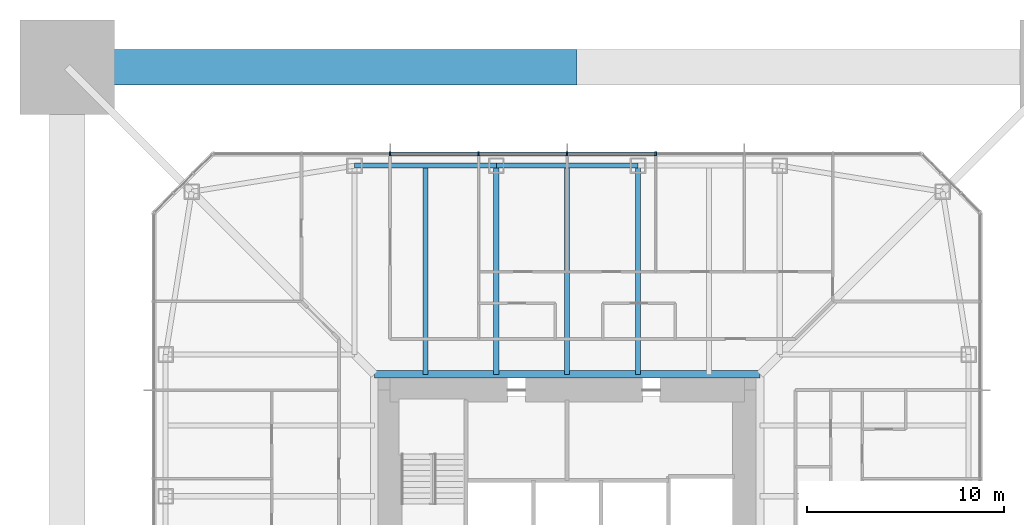
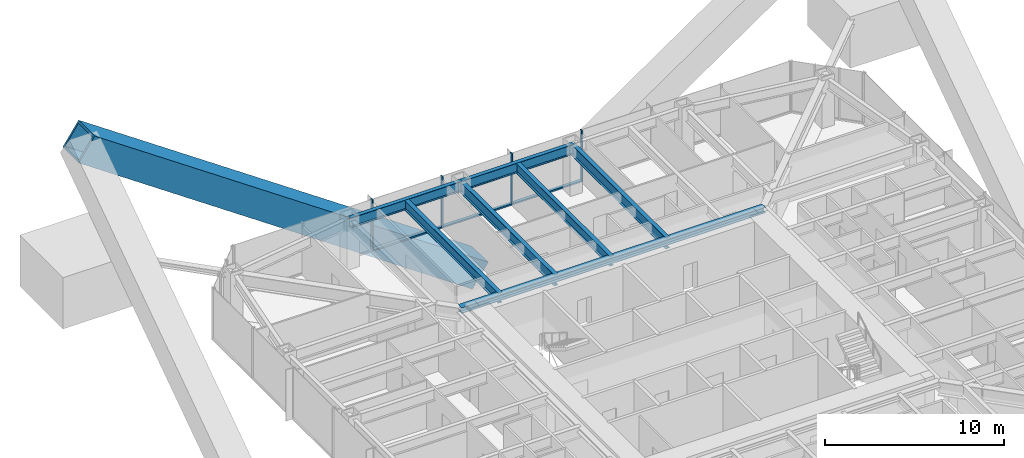
# One storey, part 6 of 17: 8 members, 7 beams, 1 element without a shape of its own.
"""IFC4 building model written with IfcOpenShell, lengths in metres."""

from ifc_helpers import new_model, si_unit, direction, frame, origin, origin_2d, place, context, subcontext, project, spatial, rectangle, hollow_rectangle, i_section, extrude, material, material_profile, profile_set, type_object, element, aggregate, save


model = new_model("IFC4")

# Units and contexts
model_context = context("Model", 3, precision=1e-05, world=origin(), true_north=direction((0.0, 1.0)))
body_context = subcontext(model_context, "Body", "Model", "MODEL_VIEW")
ifc_project = project(units=[si_unit("LENGTHUNIT", "METRE"), si_unit("AREAUNIT", "SQUARE_METRE"), si_unit("VOLUMEUNIT", "CUBIC_METRE"), si_unit("PLANEANGLEUNIT", "RADIAN"), si_unit("MASSUNIT", "GRAM", prefix="KILO")], contexts=[model_context])

# Site, building, storey
site_placement = place(None, origin())
site = spatial("IfcSite", under=ifc_project, at=site_placement, CompositionType="ELEMENT")
building_placement = place(site_placement, origin())
building = spatial("IfcBuilding", under=site, at=building_placement, Name="Iwan Alto Co-Living Towers", CompositionType="ELEMENT")
storey_placement = place(building_placement, frame((0.0, 0.0, 133.0)))
storey = spatial("IfcBuildingStorey", under=building, at=storey_placement, Name="L36", CompositionType="ELEMENT", Elevation=133.0)

# Curtain wall, members
ifc_material_1 = material(Name="Bronze aluminium unitised frame", Category="aluminium")
curtain_wall_type = type_object("IfcCurtainWallType", Name="CURTAIN WALL CW-A", PredefinedType="NOTDEFINED", material=ifc_material_1)
curtain_wall_placement = place(storey_placement, origin())
curtain_wall = element("IfcCurtainWall", 1, at=curtain_wall_placement, inside=storey, type_object=curtain_wall_type, Name="T1 curtain wall N L36", PredefinedType="NOTDEFINED")
ifc_material_2 = material(Name="Aluminium 6063-T6 bronze anodised", Category="aluminium")
ifc_material_profile_1 = material_profile(ifc_material_2, rectangle(XDim=0.199951171875, YDim=0.080078125, at=origin_2d()), Name="AL 80X200")
ifc_profile_set_1 = profile_set([ifc_material_profile_1], Name="Aluminium 6063-T6 bronze anodised")
member_type_1 = type_object("IfcMemberType", Name="CW-A MULLION 80X200", PredefinedType="MULLION", material=ifc_profile_set_1)
member_1_placement = place(storey_placement, frame((4.5, 21.0, 0.0), z_axis=(0.0, 0.0, 1.0), x_axis=(0.0, -1.0, 0.0)))
member_1 = element("IfcMember", 2, at=member_1_placement, type_object=member_type_1, Name="CW-A mullion 4", PredefinedType="MULLION", context=body_context, shape_type="SweptSolid", body=[
    extrude(rectangle(XDim=0.199951171875, YDim=0.080078125, at=origin_2d()), origin(), (0.0, 0.0, 1.0), 3.5),
])
member_2_placement = place(storey_placement, frame((0.0, 21.0, 0.0), z_axis=(0.0, 0.0, 1.0), x_axis=(0.0, -1.0, 0.0)))
member_2 = element("IfcMember", 3, at=member_2_placement, type_object=member_type_1, Name="CW-A mullion 5", PredefinedType="MULLION", context=body_context, shape_type="SweptSolid", body=[
    extrude(rectangle(XDim=0.199951171875, YDim=0.080078125, at=origin_2d()), origin(), (0.0, 0.0, 1.0), 3.5),
])
member_3_placement = place(storey_placement, frame((-4.5, 21.0, 0.0), z_axis=(0.0, 0.0, 1.0), x_axis=(0.0, -1.0, 0.0)))
member_3 = element("IfcMember", 4, at=member_3_placement, type_object=member_type_1, Name="CW-A mullion 6", PredefinedType="MULLION", context=body_context, shape_type="SweptSolid", body=[
    extrude(rectangle(XDim=0.199951171875, YDim=0.080078125, at=origin_2d()), origin(), (0.0, 0.0, 1.0), 3.5),
])
member_4_placement = place(storey_placement, frame((-9.0, 21.0, 0.0), z_axis=(0.0, 0.0, 1.0), x_axis=(0.0, -1.0, 0.0)))
member_4 = element("IfcMember", 5, at=member_4_placement, type_object=member_type_1, Name="CW-A mullion 7", PredefinedType="MULLION", context=body_context, shape_type="SweptSolid", body=[
    extrude(rectangle(XDim=0.199951171875, YDim=0.080078125, at=origin_2d()), origin(), (0.0, 0.0, 1.0), 3.5),
])
ifc_material_3 = material(Name="Aluminium 6063-T6 bronze anodised", Category="aluminium")
ifc_material_profile_2 = material_profile(ifc_material_3, rectangle(XDim=0.199951171875, YDim=0.10009765625, at=origin_2d()), Name="AL 200X100")
ifc_profile_set_2 = profile_set([ifc_material_profile_2], Name="Aluminium 6063-T6 bronze anodised")
member_type_2 = type_object("IfcMemberType", Name="CW-A TRANSOM 200X100", PredefinedType="USERDEFINED", material=ifc_profile_set_2)
member_5_placement = place(storey_placement, frame((4.4599609375, 21.0, 0.050048828125), z_axis=(-1.0, 0.0, 0.0), x_axis=(0.0, -1.0, 0.0)))
member_5 = element("IfcMember", 6, at=member_5_placement, type_object=member_type_2, Name="CW-A transom 4.1", ObjectType="TRANSOM", PredefinedType="USERDEFINED", context=body_context, shape_type="SweptSolid", body=[
    extrude(rectangle(XDim=0.199951171875, YDim=0.10009765625, at=origin_2d()), origin(), (0.0, 0.0, 1.0), 4.419921875),
])
member_6_placement = place(storey_placement, frame((-0.0400390625, 21.0, 0.050048828125), z_axis=(-1.0, 0.0, 0.0), x_axis=(0.0, -1.0, 0.0)))
member_6 = element("IfcMember", 7, at=member_6_placement, type_object=member_type_2, Name="CW-A transom 5.1", ObjectType="TRANSOM", PredefinedType="USERDEFINED", context=body_context, shape_type="SweptSolid", body=[
    extrude(rectangle(XDim=0.199951171875, YDim=0.10009765625, at=origin_2d()), origin(), (0.0, 0.0, 1.0), 4.419921875),
])
member_7_placement = place(storey_placement, frame((-4.5400390625, 21.0, 0.050048828125), z_axis=(-1.0, 0.0, 0.0), x_axis=(0.0, -1.0, 0.0)))
member_7 = element("IfcMember", 8, at=member_7_placement, type_object=member_type_2, Name="CW-A transom 6.1", ObjectType="TRANSOM", PredefinedType="USERDEFINED", context=body_context, shape_type="SweptSolid", body=[
    extrude(rectangle(XDim=0.199951171875, YDim=0.10009765625, at=origin_2d()), origin(), (0.0, 0.0, 1.0), 4.419921875),
])
aggregate(curtain_wall, [member_1, member_2, member_3, member_4, member_5, member_6, member_7])

# Beams
ifc_material_4 = material(Name="Steel ASTM A992 Gr 50", Category="steel")
ifc_material_profile_3 = material_profile(ifc_material_4, i_section(OverallWidth=0.398681640625, OverallDepth=0.385986328125, WebThickness=0.02099609375, FlangeThickness=0.033203125, at=origin_2d()), Name="W14X176")
ifc_profile_set_3 = profile_set([ifc_material_profile_3], Name="Steel ASTM A992 Gr 50")
beam_type_1 = type_object("IfcBeamType", Name="T1 CORE LEDGER BEAM W14X176", PredefinedType="BEAM", material=ifc_profile_set_3)
beam_1_placement = place(storey_placement, frame((9.79931640625, 9.79931640625, 3.076904296875), z_axis=(-1.0, 0.0, 0.0), x_axis=(0.0, -1.0, 0.0)))
element("IfcBeam", 9, at=beam_1_placement, inside=storey, type_object=beam_type_1, Name="T1 core ledger beam N L37", PredefinedType="BEAM", context=body_context, shape_type="SweptSolid", body=[
    extrude(i_section(OverallWidth=0.398681640625, OverallDepth=0.385986328125, WebThickness=0.02099609375, FlangeThickness=0.033203125, at=origin_2d()), origin(), (0.0, 0.0, 1.0), 19.5986328125),
])
ifc_material_5 = material(Name="Steel ASTM A992 Gr 50", Category="steel")
ifc_material_profile_4 = material_profile(ifc_material_5, i_section(OverallWidth=0.25390625, OverallDepth=0.683349609375, WebThickness=0.012451171875, FlangeThickness=0.018798828125, at=origin_2d()), Name="W27X94")
ifc_profile_set_4 = profile_set([ifc_material_profile_4], Name="Steel ASTM A992 Gr 50")
beam_type_2 = type_object("IfcBeamType", Name="T1 EDGE BEAM W27X94", PredefinedType="BEAM", material=ifc_profile_set_4)
beam_2_placement = place(storey_placement, frame((3.60009765625, 20.39990234375, 2.928466796875), z_axis=(-1.0, 0.0, 0.0), x_axis=(0.0, -1.0, 0.0)))
element("IfcBeam", 10, at=beam_2_placement, inside=storey, type_object=beam_type_2, Name="T1 edge beam N2 L37", PredefinedType="BEAM", context=body_context, shape_type="SweptSolid", body=[
    extrude(i_section(OverallWidth=0.25390625, OverallDepth=0.683349609375, WebThickness=0.012451171875, FlangeThickness=0.018798828125, at=origin_2d()), origin(), (0.0, 0.0, 1.0), 7.2001953125),
])
beam_3_placement = place(storey_placement, frame((-3.60009765625, 20.39990234375, 2.928466796875), z_axis=(-1.0, 0.0, 0.0), x_axis=(0.0, -1.0, 0.0)))
element("IfcBeam", 11, at=beam_3_placement, inside=storey, type_object=beam_type_2, Name="T1 edge beam N3 L37", PredefinedType="BEAM", context=body_context, shape_type="SweptSolid", body=[
    extrude(i_section(OverallWidth=0.25390625, OverallDepth=0.683349609375, WebThickness=0.012451171875, FlangeThickness=0.018798828125, at=origin_2d()), origin(), (0.0, 0.0, 1.0), 7.199951171875),
])

# Member
ifc_material_6 = material(Name="Steel ASTM A572 Gr 42", Category="steel")
ifc_material_profile_5 = material_profile(ifc_material_6, hollow_rectangle(XDim=1.800048828125, YDim=1.800048828125, WallThickness=0.1298828125, at=origin_2d()), Name="BOX 1800X1800X130")
ifc_profile_set_5 = profile_set([ifc_material_profile_5], Name="Steel ASTM A572 Gr 42")
member_type_3 = type_object("IfcMemberType", Name="T1 MEGA BRACE BOX 1800X1800X130", PredefinedType="BRACE", material=ifc_profile_set_5)
member_8_placement = place(storey_placement, frame((0.0, 25.39990234375, -7.0), z_axis=(-0.82347292246, 0.0, 0.56735557279), x_axis=(0.0, -1.0, 0.0)))
element("IfcMember", 12, at=member_8_placement, inside=storey, type_object=member_type_3, Name="T1 mega brace Z2B N 1 upper", PredefinedType="BRACE", context=body_context, shape_type="SweptSolid", body=[
    extrude(hollow_rectangle(XDim=1.800048828125, YDim=1.800048828125, WallThickness=0.1298828125, at=origin_2d()), origin(), (0.0, 0.0, 1.0), 30.844970703125),
])

# Beams
ifc_material_7 = material(Name="Steel ASTM A992 Gr 50", Category="steel")
ifc_material_profile_6 = material_profile(ifc_material_7, i_section(OverallWidth=0.2666015625, OverallDepth=0.761962890625, WebThickness=0.014404296875, FlangeThickness=0.021484375, at=origin_2d()), Name="W30X116")
ifc_profile_set_6 = profile_set([ifc_material_profile_6], Name="Steel ASTM A992 Gr 50")
beam_type_3 = type_object("IfcBeamType", Name="T1 RADIAL BEAM W30X116", PredefinedType="BEAM", material=ifc_profile_set_6)
for number, where, z_axis, x_axis, name in (
    (13, (3.60009765625, 20.39990234375, 2.888916015625), (0.0, -1.0, 0.0), (1.0, 0.0, 0.0), "T1 radial beam N2 L37"),
    (14, (-3.60009765625, 20.39990234375, 2.888916015625), (0.0, -1.0, 0.0), (1.0, 0.0, 0.0), "T1 radial beam N3 L37"),
):
    element("IfcBeam", number, at=place(storey_placement, frame(where, z_axis=z_axis, x_axis=x_axis)), inside=storey, type_object=beam_type_3, Name=name, PredefinedType="BEAM", context=body_context, shape_type="SweptSolid", body=[
        extrude(i_section(OverallWidth=0.2666015625, OverallDepth=0.761962890625, WebThickness=0.014404296875, FlangeThickness=0.021484375, at=origin_2d()), origin(), (0.0, 0.0, 1.0), 10.6005859375),
    ])
ifc_material_8 = material(Name="Steel ASTM A992 Gr 50", Category="steel")
ifc_material_profile_7 = material_profile(ifc_material_8, i_section(OverallWidth=0.25390625, OverallDepth=0.683349609375, WebThickness=0.012451171875, FlangeThickness=0.018798828125, at=origin_2d()), Name="W27X94")
ifc_profile_set_7 = profile_set([ifc_material_profile_7], Name="Steel ASTM A992 Gr 50")
beam_type_4 = type_object("IfcBeamType", Name="T1 SECONDARY BEAM W27X94", PredefinedType="JOIST", material=ifc_profile_set_7)
for number, where, z_axis, x_axis, name in (
    (15, (0.0, 20.39990234375, 2.928466796875), (0.0, -1.0, 0.0), (1.0, 0.0, 0.0), "T1 secondary beam N2 L37"),
    (16, (-7.199951171875, 20.39990234375, 2.928466796875), (0.0, -1.0, 0.0), (1.0, 0.0, 0.0), "T1 secondary beam N3 L37"),
):
    element("IfcBeam", number, at=place(storey_placement, frame(where, z_axis=z_axis, x_axis=x_axis)), inside=storey, type_object=beam_type_4, Name=name, PredefinedType="JOIST", context=body_context, shape_type="SweptSolid", body=[
        extrude(i_section(OverallWidth=0.25390625, OverallDepth=0.683349609375, WebThickness=0.012451171875, FlangeThickness=0.018798828125, at=origin_2d()), origin(), (0.0, 0.0, 1.0), 10.6005859375),
    ])

save(model, "model.ifc")
